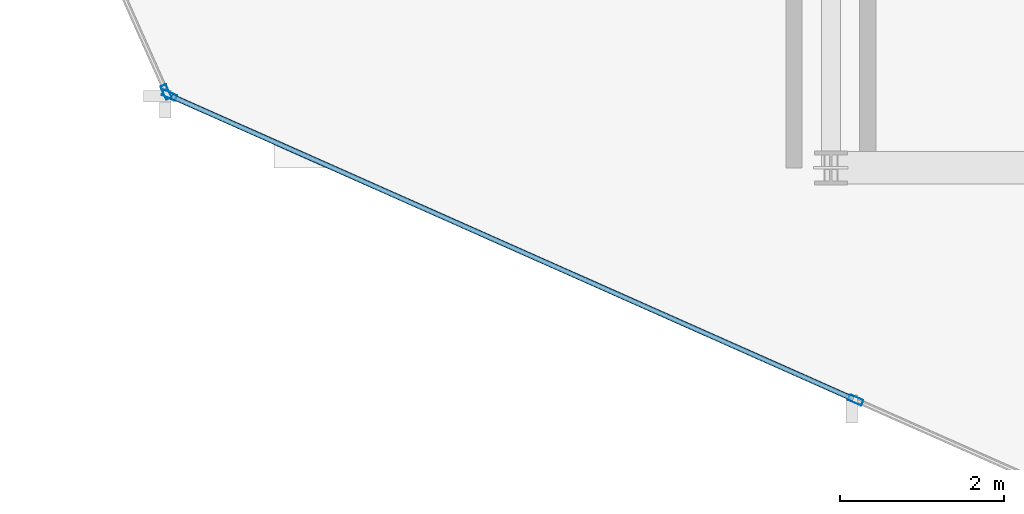
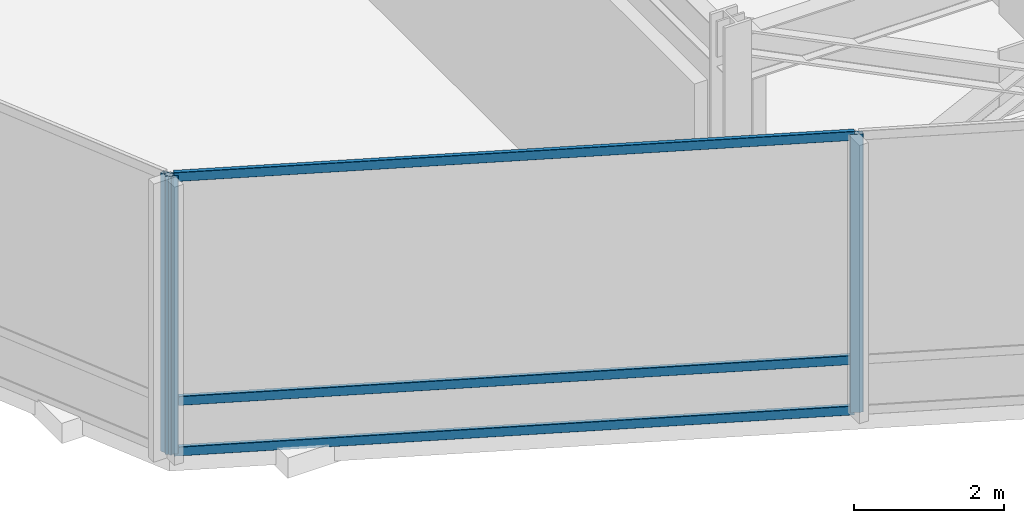
# One storey, part 2 of 30: 6 members, 2 elements without a shape of their own.
"""IFC4 building model written with IfcOpenShell, lengths in metres."""

from ifc_helpers import new_model, si_unit, direction, frame, origin, origin_2d, place, context, subcontext, project, spatial, hollow_rectangle, extrude, material, layer, layer_set, material_profile, profile_set, type_object, element, aggregate, save


model = new_model("IFC4")

# Units and contexts
model_context = context("Model", 3, precision=1e-05, world=origin(), true_north=direction((0.0, 1.0)))
body_context = subcontext(model_context, "Body", "Model", "MODEL_VIEW")
ifc_project = project(units=[si_unit("LENGTHUNIT", "METRE"), si_unit("AREAUNIT", "SQUARE_METRE"), si_unit("VOLUMEUNIT", "CUBIC_METRE"), si_unit("PLANEANGLEUNIT", "RADIAN"), si_unit("MASSUNIT", "GRAM", prefix="KILO")], contexts=[model_context])

# Site, building, storey
site_placement = place(None, origin())
site = spatial("IfcSite", under=ifc_project, at=site_placement, CompositionType="ELEMENT")
building_placement = place(site_placement, origin())
building = spatial("IfcBuilding", under=site, at=building_placement, Name="Solvaryn Broadcast Tower", CompositionType="ELEMENT")
storey_placement = place(building_placement, frame((0.0, 0.0, 196.39990234375)))
storey = spatial("IfcBuildingStorey", under=building, at=storey_placement, Name="L49", CompositionType="ELEMENT", Elevation=196.39990234375)

# Curtain wall, member
ifc_material_1 = material(Name="Aluminium and Terracotta Unitised Curtain Wall", Category="masonry")
ifc_layer = layer(ifc_material_1, 0.199951171875)
ifc_layer_set = layer_set([ifc_layer], Name="CW-SYS2-LOWMID")
curtain_wall_type = type_object("IfcCurtainWallType", Name="CW-SYS2-LOWMID", PredefinedType="NOTDEFINED", material=ifc_layer_set)
curtain_wall_1_placement = place(storey_placement, origin())
curtain_wall_1 = element("IfcCurtainWall", 1, at=curtain_wall_1_placement, inside=storey, type_object=curtain_wall_type, Name="L49 Curtain Wall DR2", PredefinedType="NOTDEFINED")
ifc_material_2 = material(Name="Anodised Aluminium 6063-T6", Category="aluminium")
ifc_material_profile_1 = material_profile(ifc_material_2, hollow_rectangle(XDim=0.074951171875, YDim=0.179931640625, WallThickness=0.00390625, InnerFilletRadius=0.00390625, OuterFilletRadius=0.008056640625, at=origin_2d()))
ifc_profile_set_1 = profile_set([ifc_material_profile_1], Name="Anodised Aluminium 6063-T6")
member_type_1 = type_object("IfcMemberType", Name="CW-MUL-180", PredefinedType="MULLION", material=ifc_profile_set_1)
member_1_placement = place(storey_placement, frame((9.8857421875, 9.925537109375, 0.0), z_axis=(0.0, 0.0, 1.0), x_axis=(0.913916902365, 0.405901337237, 0.0)))
member_1 = element("IfcMember", 2, at=member_1_placement, type_object=member_type_1, Name="CWS2 mullion 3", PredefinedType="MULLION", context=body_context, shape_type="SweptSolid", body=[
    extrude(hollow_rectangle(XDim=0.074951171875, YDim=0.179931640625, WallThickness=0.00390625, InnerFilletRadius=0.00390625, OuterFilletRadius=0.008056640625, at=origin_2d()), origin(), (0.0, 0.0, 1.0), 4.52001953125),
])
aggregate(curtain_wall_1, [member_1])

# Curtain wall, members
curtain_wall_2_placement = place(storey_placement, origin())
curtain_wall_2 = element("IfcCurtainWall", 3, at=curtain_wall_2_placement, inside=storey, type_object=curtain_wall_type, Name="L49 Curtain Wall DR3", PredefinedType="NOTDEFINED")
member_2_placement = place(storey_placement, frame((9.925537109375, 9.8857421875, 0.0), z_axis=(0.0, 0.0, 1.0), x_axis=(0.405901337237, 0.913916902365, 0.0)))
member_2 = element("IfcMember", 4, at=member_2_placement, type_object=member_type_1, Name="CWS2 mullion 1", PredefinedType="MULLION", context=body_context, shape_type="SweptSolid", body=[
    extrude(hollow_rectangle(XDim=0.074951171875, YDim=0.179931640625, WallThickness=0.00390625, InnerFilletRadius=0.00390625, OuterFilletRadius=0.008056640625, at=origin_2d()), origin(), (0.0, 0.0, 1.0), 4.52001953125),
])
member_3_placement = place(storey_placement, frame((18.302001953125, 6.16552734375, 0.0), z_axis=(0.0, 0.0, 1.0), x_axis=(0.405901337237, 0.913916902365, 0.0)))
member_3 = element("IfcMember", 5, at=member_3_placement, type_object=member_type_1, Name="CWS2 mullion 2", PredefinedType="MULLION", context=body_context, shape_type="SweptSolid", body=[
    extrude(hollow_rectangle(XDim=0.074951171875, YDim=0.179931640625, WallThickness=0.00390625, InnerFilletRadius=0.00390625, OuterFilletRadius=0.008056640625, at=origin_2d()), origin(), (0.0, 0.0, 1.0), 4.52001953125),
])
ifc_material_3 = material(Name="Anodised Aluminium 6063-T6", Category="aluminium")
ifc_material_profile_2 = material_profile(ifc_material_3, hollow_rectangle(XDim=0.06494140625, YDim=0.14990234375, WallThickness=0.00390625, InnerFilletRadius=0.00390625, OuterFilletRadius=0.008056640625, at=origin_2d()))
ifc_profile_set_2 = profile_set([ifc_material_profile_2], Name="Anodised Aluminium 6063-T6")
member_type_2 = type_object("IfcMemberType", Name="CW-TRN-150", PredefinedType="USERDEFINED", material=ifc_profile_set_2)
member_4_placement = place(storey_placement, frame((9.952880859375, 9.87353515625, 0.030029296875), z_axis=(0.913924290927, -0.405884700935, 0.0), x_axis=(0.405884700935, 0.913924290927, 0.0)))
member_4 = element("IfcMember", 6, at=member_4_placement, type_object=member_type_2, Name="CWS2 transom 1.1", ObjectType="TRANSOM", PredefinedType="USERDEFINED", context=body_context, shape_type="SweptSolid", body=[
    extrude(hollow_rectangle(XDim=0.06494140625, YDim=0.14990234375, WallThickness=0.00390625, InnerFilletRadius=0.00390625, OuterFilletRadius=0.008056640625, at=origin_2d()), origin(), (0.0, 0.0, 1.0), 9.10546875),
])
member_5_placement = place(storey_placement, frame((9.952880859375, 9.87353515625, 0.85009765625), z_axis=(0.913924290927, -0.405884700935, 0.0), x_axis=(0.405884700935, 0.913924290927, 0.0)))
member_5 = element("IfcMember", 7, at=member_5_placement, type_object=member_type_2, Name="CWS2 transom 1.2", ObjectType="TRANSOM", PredefinedType="USERDEFINED", context=body_context, shape_type="SweptSolid", body=[
    extrude(hollow_rectangle(XDim=0.06494140625, YDim=0.14990234375, WallThickness=0.00390625, InnerFilletRadius=0.00390625, OuterFilletRadius=0.008056640625, at=origin_2d()), origin(), (0.0, 0.0, 1.0), 9.10546875),
])
member_6_placement = place(storey_placement, frame((9.952880859375, 9.87353515625, 4.489990234375), z_axis=(0.913924290927, -0.405884700935, 0.0), x_axis=(0.405884700935, 0.913924290927, 0.0)))
member_6 = element("IfcMember", 8, at=member_6_placement, type_object=member_type_2, Name="CWS2 transom 1.3", ObjectType="TRANSOM", PredefinedType="USERDEFINED", context=body_context, shape_type="SweptSolid", body=[
    extrude(hollow_rectangle(XDim=0.06494140625, YDim=0.14990234375, WallThickness=0.00390625, InnerFilletRadius=0.00390625, OuterFilletRadius=0.008056640625, at=origin_2d()), origin(), (0.0, 0.0, 1.0), 9.10546875),
])
aggregate(curtain_wall_2, [member_2, member_3, member_4, member_5, member_6])

save(model, "model.ifc")
